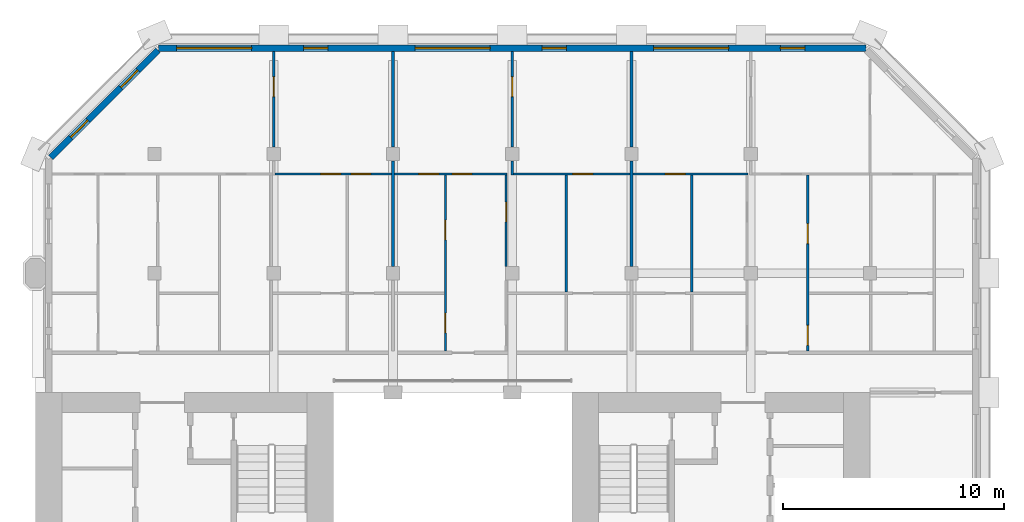
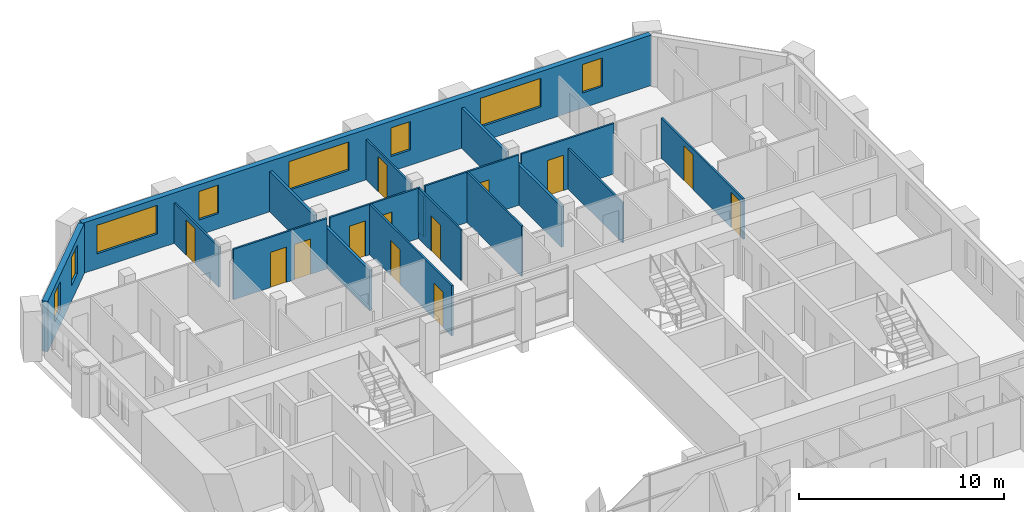
# One storey, part 9 of 13: 18 walls, 13 doors, 8 windows, 21 openings.
"""IFC4 building model written with IfcOpenShell, lengths in metres."""

from ifc_helpers import new_model, si_unit, direction, frame, frame_2d, origin, place, context, subcontext, project, spatial, rectangle, extrude, material, layer, layer_set, type_object, element, fill, save


model = new_model("IFC4")

# Units and contexts
model_context = context("Model", 3, precision=1e-05, world=origin(), true_north=direction((0.0, 1.0)))
body_context = subcontext(model_context, "Body", "Model", "MODEL_VIEW")
ifc_project = project(units=[si_unit("LENGTHUNIT", "METRE"), si_unit("AREAUNIT", "SQUARE_METRE"), si_unit("VOLUMEUNIT", "CUBIC_METRE"), si_unit("PLANEANGLEUNIT", "RADIAN"), si_unit("MASSUNIT", "GRAM", prefix="KILO")], contexts=[model_context])

# Site, building, storey
site_placement = place(None, origin())
site = spatial("IfcSite", under=ifc_project, at=site_placement, CompositionType="ELEMENT")
building_placement = place(site_placement, origin())
building = spatial("IfcBuilding", under=site, at=building_placement, Name="Tabaq Tower and Sports Hall", CompositionType="ELEMENT")
storey_placement = place(building_placement, frame((0.0, 0.0, 298.300048828125)))
storey = spatial("IfcBuildingStorey", under=building, at=storey_placement, Name="L74", CompositionType="ELEMENT", Elevation=298.300048828125)

# Wall, opening, door
ifc_material_1 = material(Name="Gypsum board on steel studs", Category="steel")
ifc_layer_1 = layer(ifc_material_1, 0.10009765625)
ifc_layer_set_1 = layer_set([ifc_layer_1], Name="Partition 100 Gypsum board")
wall_type_1 = type_object("IfcWallType", Name="Partition 100 Gypsum board", PredefinedType="PARTITIONING", material=ifc_layer_set_1)
wall_1_placement = place(storey_placement, frame((16.199951171875, 43.52001953125, 0.0), z_axis=(0.0, 0.0, 1.0), x_axis=(0.0, 1.0, 0.0)))
wall_1 = element("IfcWall", 1, at=wall_1_placement, inside=storey, type_object=wall_type_1, Name="Partition wall L74", PredefinedType="PARTITIONING", context=body_context, shape_type="SweptSolid", body=[
    extrude(rectangle(XDim=4.3291015625, YDim=0.10009765625, at=frame_2d((2.16455078125, 0.0))), origin(), (0.0, 0.0, 1.0), 2.39990234375),
])
opening_1_placement = place(wall_1_placement, frame((2.280029296875, 0.0, 0.0)))
opening_1 = element("IfcOpeningElement", 2, at=opening_1_placement, cuts=wall_1, Name="Opening L74-051", PredefinedType="OPENING", context=body_context, shape_type="SweptSolid", body=[
    extrude(rectangle(XDim=0.89990234375, YDim=2.10009765625, at=frame_2d((0.449951171875, 1.050048828125))), frame((0.0, 0.050048828125, 0.0), z_axis=(0.0, -1.0, 0.0), x_axis=(1.0, 0.0, 0.0)), (0.0, 0.0, 1.0), 0.10009765625),
])
ifc_material_2 = material(Name="Timber leaf in steel frame", Category="steel")
door_type_1 = type_object("IfcDoorType", Name="Internal door 900 right hand", OperationType="SINGLE_SWING_RIGHT", PredefinedType="DOOR", material=ifc_material_2)
door_1_placement = place(opening_1_placement, origin())
door_1 = element("IfcDoor", 3, at=door_1_placement, inside=storey, type_object=door_type_1, Name="Internal door L74-051", OperationType="SINGLE_SWING_RIGHT", OverallHeight=2.10009765625, OverallWidth=0.89990234375, PredefinedType="DOOR", context=body_context, shape_type="SweptSolid", body=[
    extrude(rectangle(XDim=0.89990234375, YDim=2.10009765625, at=frame_2d((0.449951171875, 1.050048828125))), frame((0.0, 0.02490234375, 0.0), z_axis=(0.0, -1.0, 0.0), x_axis=(1.0, 0.0, 0.0)), (0.0, 0.0, 1.0), 0.050048828125),
])
fill(opening_1, door_1)

# Wall, openings, doors
wall_2_placement = place(storey_placement, frame((16.25, 42.300048828125, 0.0), z_axis=(0.0, 0.0, 1.0), x_axis=(1.0, 0.0, 0.0)))
wall_2 = element("IfcWall", 4, at=wall_2_placement, inside=storey, type_object=wall_type_1, Name="Partition wall L74", PredefinedType="PARTITIONING", context=body_context, shape_type="SweptSolid", body=[
    extrude(rectangle(XDim=5.27490234375, YDim=0.10009765625, at=frame_2d((2.637451171875, 0.0))), origin(), (0.0, 0.0, 1.0), 3.0),
])
opening_2_placement = place(wall_2_placement, frame((2.080078125, 0.0, 0.0)))
opening_2 = element("IfcOpeningElement", 5, at=opening_2_placement, cuts=wall_2, Name="Opening L74-029", PredefinedType="OPENING", context=body_context, shape_type="SweptSolid", body=[
    extrude(rectangle(XDim=0.89990234375, YDim=2.10009765625, at=frame_2d((0.449951171875, 1.050048828125))), frame((0.0, 0.050048828125, 0.0), z_axis=(0.0, -1.0, 0.0), x_axis=(1.0, 0.0, 0.0)), (0.0, 0.0, 1.0), 0.10009765625),
])
opening_3_placement = place(wall_2_placement, frame((3.449951171875, 0.0, 0.0)))
opening_3 = element("IfcOpeningElement", 6, at=opening_3_placement, cuts=wall_2, Name="Opening L74-030", PredefinedType="OPENING", context=body_context, shape_type="SweptSolid", body=[
    extrude(rectangle(XDim=0.89990234375, YDim=2.10009765625, at=frame_2d((0.449951171875, 1.050048828125))), frame((0.0, 0.050048828125, 0.0), z_axis=(0.0, -1.0, 0.0), x_axis=(1.0, 0.0, 0.0)), (0.0, 0.0, 1.0), 0.10009765625),
])
ifc_material_3 = material(Name="Timber leaf in steel frame", Category="steel")
door_type_2 = type_object("IfcDoorType", Name="Internal door 900 left hand", OperationType="SINGLE_SWING_LEFT", PredefinedType="DOOR", material=ifc_material_3)
door_2_placement = place(opening_3_placement, origin())
door_2 = element("IfcDoor", 7, at=door_2_placement, inside=storey, type_object=door_type_2, Name="Internal door L74-030", OperationType="SINGLE_SWING_LEFT", OverallHeight=2.10009765625, OverallWidth=0.89990234375, PredefinedType="DOOR", context=body_context, shape_type="SweptSolid", body=[
    extrude(rectangle(XDim=0.89990234375, YDim=2.10009765625, at=frame_2d((0.449951171875, 1.050048828125))), frame((0.0, 0.02490234375, 0.0), z_axis=(0.0, -1.0, 0.0), x_axis=(1.0, 0.0, 0.0)), (0.0, 0.0, 1.0), 0.050048828125),
])
fill(opening_3, door_2)
door_3_placement = place(opening_2_placement, origin())
door_3 = element("IfcDoor", 8, at=door_3_placement, inside=storey, type_object=door_type_1, Name="Internal door L74-029", OperationType="SINGLE_SWING_RIGHT", OverallHeight=2.10009765625, OverallWidth=0.89990234375, PredefinedType="DOOR", context=body_context, shape_type="SweptSolid", body=[
    extrude(rectangle(XDim=0.89990234375, YDim=2.10009765625, at=frame_2d((0.449951171875, 1.050048828125))), frame((0.0, 0.02490234375, 0.0), z_axis=(0.0, -1.0, 0.0), x_axis=(1.0, 0.0, 0.0)), (0.0, 0.0, 1.0), 0.050048828125),
])
fill(opening_2, door_3)

wall_3_placement = place(storey_placement, frame((21.675048828125, 42.300048828125, 0.0), z_axis=(0.0, 0.0, 1.0), x_axis=(1.0, 0.0, 0.0)))
wall_3 = element("IfcWall", 9, at=wall_3_placement, inside=storey, type_object=wall_type_1, Name="Partition wall L74", PredefinedType="PARTITIONING", context=body_context, shape_type="SweptSolid", body=[
    extrude(rectangle(XDim=5.096923828125, YDim=0.10009765625, at=frame_2d((2.54833984375, 0.0))), origin(), (0.0, 0.0, 1.0), 3.0),
])
opening_4_placement = place(wall_3_placement, frame((1.096923828125, 0.0, 0.0)))
opening_4 = element("IfcOpeningElement", 10, at=opening_4_placement, cuts=wall_3, Name="Opening L74-033", PredefinedType="OPENING", context=body_context, shape_type="SweptSolid", body=[
    extrude(rectangle(XDim=0.89990234375, YDim=2.10009765625, at=frame_2d((0.449951171875, 1.050048828125))), frame((0.0, 0.050048828125, 0.0), z_axis=(0.0, -1.0, 0.0), x_axis=(1.0, 0.0, 0.0)), (0.0, 0.0, 1.0), 0.10009765625),
])
opening_5_placement = place(wall_3_placement, frame((2.596923828125, 0.0, 0.0)))
opening_5 = element("IfcOpeningElement", 11, at=opening_5_placement, cuts=wall_3, Name="Opening L74-052", PredefinedType="OPENING", context=body_context, shape_type="SweptSolid", body=[
    extrude(rectangle(XDim=0.89990234375, YDim=2.10009765625, at=frame_2d((0.449951171875, 1.050048828125))), frame((0.0, 0.050048828125, 0.0), z_axis=(0.0, -1.0, 0.0), x_axis=(1.0, 0.0, 0.0)), (0.0, 0.0, 1.0), 0.10009765625),
])
door_4_placement = place(opening_5_placement, origin())
door_4 = element("IfcDoor", 12, at=door_4_placement, inside=storey, type_object=door_type_2, Name="Internal door L74-052", OperationType="SINGLE_SWING_LEFT", OverallHeight=2.10009765625, OverallWidth=0.89990234375, PredefinedType="DOOR", context=body_context, shape_type="SweptSolid", body=[
    extrude(rectangle(XDim=0.89990234375, YDim=2.10009765625, at=frame_2d((0.449951171875, 1.050048828125))), frame((0.0, 0.02490234375, 0.0), z_axis=(0.0, -1.0, 0.0), x_axis=(1.0, 0.0, 0.0)), (0.0, 0.0, 1.0), 0.050048828125),
])
fill(opening_5, door_4)
door_5_placement = place(opening_4_placement, origin())
door_5 = element("IfcDoor", 13, at=door_5_placement, inside=storey, type_object=door_type_1, Name="Internal door L74-033", OperationType="SINGLE_SWING_RIGHT", OverallHeight=2.10009765625, OverallWidth=0.89990234375, PredefinedType="DOOR", context=body_context, shape_type="SweptSolid", body=[
    extrude(rectangle(XDim=0.89990234375, YDim=2.10009765625, at=frame_2d((0.449951171875, 1.050048828125))), frame((0.0, 0.02490234375, 0.0), z_axis=(0.0, -1.0, 0.0), x_axis=(1.0, 0.0, 0.0)), (0.0, 0.0, 1.0), 0.050048828125),
])
fill(opening_4, door_5)

# Wall
wall_4_placement = place(storey_placement, frame((27.0, 42.25, 0.0), z_axis=(0.0, 0.0, 1.0), x_axis=(0.0, 1.0, 0.0)))
element("IfcWall", 14, at=wall_4_placement, inside=storey, type_object=wall_type_1, Name="Partition wall L74", PredefinedType="PARTITIONING", context=body_context, shape_type="SweptSolid", body=[
    extrude(rectangle(XDim=0.6298828125, YDim=0.10009765625, at=frame_2d((0.31494140625, 0.0))), origin(), (0.0, 0.0, 1.0), 2.39990234375),
])

# Wall, opening, door
wall_5_placement = place(storey_placement, frame((27.0, 43.52001953125, 0.0), z_axis=(0.0, 0.0, 1.0), x_axis=(0.0, 1.0, 0.0)))
wall_5 = element("IfcWall", 15, at=wall_5_placement, inside=storey, type_object=wall_type_1, Name="Partition wall L74", PredefinedType="PARTITIONING", context=body_context, shape_type="SweptSolid", body=[
    extrude(rectangle(XDim=4.3291015625, YDim=0.10009765625, at=frame_2d((2.16455078125, 0.0))), origin(), (0.0, 0.0, 1.0), 2.39990234375),
])
opening_6_placement = place(wall_5_placement, frame((2.280029296875, 0.0, 0.0)))
opening_6 = element("IfcOpeningElement", 16, at=opening_6_placement, cuts=wall_5, Name="Opening L74-032", PredefinedType="OPENING", context=body_context, shape_type="SweptSolid", body=[
    extrude(rectangle(XDim=0.89990234375, YDim=2.10009765625, at=frame_2d((0.449951171875, 1.050048828125))), frame((0.0, 0.050048828125, 0.0), z_axis=(0.0, -1.0, 0.0), x_axis=(1.0, 0.0, 0.0)), (0.0, 0.0, 1.0), 0.10009765625),
])
door_6_placement = place(opening_6_placement, origin())
door_6 = element("IfcDoor", 17, at=door_6_placement, inside=storey, type_object=door_type_1, Name="Internal door L74-032", OperationType="SINGLE_SWING_RIGHT", OverallHeight=2.10009765625, OverallWidth=0.89990234375, PredefinedType="DOOR", context=body_context, shape_type="SweptSolid", body=[
    extrude(rectangle(XDim=0.89990234375, YDim=2.10009765625, at=frame_2d((0.449951171875, 1.050048828125))), frame((0.0, 0.02490234375, 0.0), z_axis=(0.0, -1.0, 0.0), x_axis=(1.0, 0.0, 0.0)), (0.0, 0.0, 1.0), 0.050048828125),
])
fill(opening_6, door_6)

wall_6_placement = place(storey_placement, frame((27.050048828125, 42.300048828125, 0.0), z_axis=(0.0, 0.0, 1.0), x_axis=(1.0, 0.0, 0.0)))
wall_6 = element("IfcWall", 18, at=wall_6_placement, inside=storey, type_object=wall_type_1, Name="Partition wall L74", PredefinedType="PARTITIONING", context=body_context, shape_type="SweptSolid", body=[
    extrude(rectangle(XDim=5.27490234375, YDim=0.10009765625, at=frame_2d((2.637451171875, 0.0))), origin(), (0.0, 0.0, 1.0), 3.0),
])
opening_7_placement = place(wall_6_placement, frame((2.699951171875, 0.0, 0.0)))
opening_7 = element("IfcOpeningElement", 19, at=opening_7_placement, cuts=wall_6, Name="Opening L74-034", PredefinedType="OPENING", context=body_context, shape_type="SweptSolid", body=[
    extrude(rectangle(XDim=0.89990234375, YDim=2.10009765625, at=frame_2d((0.449951171875, 1.050048828125))), frame((0.0, 0.050048828125, 0.0), z_axis=(0.0, -1.0, 0.0), x_axis=(1.0, 0.0, 0.0)), (0.0, 0.0, 1.0), 0.10009765625),
])
door_7_placement = place(opening_7_placement, origin())
door_7 = element("IfcDoor", 20, at=door_7_placement, inside=storey, type_object=door_type_2, Name="Internal door L74-034", OperationType="SINGLE_SWING_LEFT", OverallHeight=2.10009765625, OverallWidth=0.89990234375, PredefinedType="DOOR", context=body_context, shape_type="SweptSolid", body=[
    extrude(rectangle(XDim=0.89990234375, YDim=2.10009765625, at=frame_2d((0.449951171875, 1.050048828125))), frame((0.0, 0.02490234375, 0.0), z_axis=(0.0, -1.0, 0.0), x_axis=(1.0, 0.0, 0.0)), (0.0, 0.0, 1.0), 0.050048828125),
])
fill(opening_7, door_7)

# Wall, openings, doors
wall_7_placement = place(storey_placement, frame((23.971923828125, 34.27490234375, 0.0), z_axis=(0.0, 0.0, 1.0), x_axis=(0.0, 1.0, 0.0)))
wall_7 = element("IfcWall", 21, at=wall_7_placement, inside=storey, type_object=wall_type_1, Name="Partition wall L74", PredefinedType="PARTITIONING", context=body_context, shape_type="SweptSolid", body=[
    extrude(rectangle(XDim=7.97509765625, YDim=0.10009765625, at=frame_2d((3.987548828125, 0.0))), origin(), (0.0, 0.0, 1.0), 3.0),
])
opening_8_placement = place(wall_7_placement, frame((0.824951171875, 0.0, 0.0)))
opening_8 = element("IfcOpeningElement", 22, at=opening_8_placement, cuts=wall_7, Name="Opening L74-007", PredefinedType="OPENING", context=body_context, shape_type="SweptSolid", body=[
    extrude(rectangle(XDim=0.89990234375, YDim=2.10009765625, at=frame_2d((0.449951171875, 1.050048828125))), frame((0.0, 0.050048828125, 0.0), z_axis=(0.0, -1.0, 0.0), x_axis=(1.0, 0.0, 0.0)), (0.0, 0.0, 1.0), 0.10009765625),
])
opening_9_placement = place(wall_7_placement, frame((5.037109375, 0.0, 0.0)))
opening_9 = element("IfcOpeningElement", 23, at=opening_9_placement, cuts=wall_7, Name="Opening L74-035", PredefinedType="OPENING", context=body_context, shape_type="SweptSolid", body=[
    extrude(rectangle(XDim=0.89990234375, YDim=2.10009765625, at=frame_2d((0.449951171875, 1.050048828125))), frame((0.0, 0.050048828125, 0.0), z_axis=(0.0, -1.0, 0.0), x_axis=(1.0, 0.0, 0.0)), (0.0, 0.0, 1.0), 0.10009765625),
])
door_8_placement = place(opening_9_placement, origin())
door_8 = element("IfcDoor", 24, at=door_8_placement, inside=storey, type_object=door_type_2, Name="Internal door L74-035", OperationType="SINGLE_SWING_LEFT", OverallHeight=2.10009765625, OverallWidth=0.89990234375, PredefinedType="DOOR", context=body_context, shape_type="SweptSolid", body=[
    extrude(rectangle(XDim=0.89990234375, YDim=2.10009765625, at=frame_2d((0.449951171875, 1.050048828125))), frame((0.0, 0.02490234375, 0.0), z_axis=(0.0, -1.0, 0.0), x_axis=(1.0, 0.0, 0.0)), (0.0, 0.0, 1.0), 0.050048828125),
])
fill(opening_9, door_8)
door_9_placement = place(opening_8_placement, origin())
door_9 = element("IfcDoor", 25, at=door_9_placement, inside=storey, type_object=door_type_1, Name="Internal door L74-007", OperationType="SINGLE_SWING_RIGHT", OverallHeight=2.10009765625, OverallWidth=0.89990234375, PredefinedType="DOOR", context=body_context, shape_type="SweptSolid", body=[
    extrude(rectangle(XDim=0.89990234375, YDim=2.10009765625, at=frame_2d((0.449951171875, 1.050048828125))), frame((0.0, 0.02490234375, 0.0), z_axis=(0.0, -1.0, 0.0), x_axis=(1.0, 0.0, 0.0)), (0.0, 0.0, 1.0), 0.050048828125),
])
fill(opening_8, door_9)

# Wall, opening, door
wall_8_placement = place(storey_placement, frame((26.721923828125, 38.1201171875, 0.0), z_axis=(0.0, 0.0, 1.0), x_axis=(0.0, 1.0, 0.0)))
wall_8 = element("IfcWall", 26, at=wall_8_placement, inside=storey, type_object=wall_type_1, Name="Partition wall L74", PredefinedType="PARTITIONING", context=body_context, shape_type="SweptSolid", body=[
    extrude(rectangle(XDim=4.1298828125, YDim=0.10009765625, at=frame_2d((2.06494140625, 0.0))), origin(), (0.0, 0.0, 1.0), 3.0),
])
opening_10_placement = place(wall_8_placement, frame((2.0048828125, 0.0, 0.0)))
opening_10 = element("IfcOpeningElement", 27, at=opening_10_placement, cuts=wall_8, Name="Opening L74-008", PredefinedType="OPENING", context=body_context, shape_type="SweptSolid", body=[
    extrude(rectangle(XDim=0.89990234375, YDim=2.10009765625, at=frame_2d((0.449951171875, 1.050048828125))), frame((0.0, 0.050048828125, 0.0), z_axis=(0.0, -1.0, 0.0), x_axis=(1.0, 0.0, 0.0)), (0.0, 0.0, 1.0), 0.10009765625),
])
door_10_placement = place(opening_10_placement, origin())
door_10 = element("IfcDoor", 28, at=door_10_placement, inside=storey, type_object=door_type_2, Name="Internal door L74-008", OperationType="SINGLE_SWING_LEFT", OverallHeight=2.10009765625, OverallWidth=0.89990234375, PredefinedType="DOOR", context=body_context, shape_type="SweptSolid", body=[
    extrude(rectangle(XDim=0.89990234375, YDim=2.10009765625, at=frame_2d((0.449951171875, 1.050048828125))), frame((0.0, 0.02490234375, 0.0), z_axis=(0.0, -1.0, 0.0), x_axis=(1.0, 0.0, 0.0)), (0.0, 0.0, 1.0), 0.050048828125),
])
fill(opening_10, door_10)

# Wall
wall_9_placement = place(storey_placement, frame((29.449951171875, 36.949951171875, 0.0), z_axis=(0.0, 0.0, 1.0), x_axis=(0.0, 1.0, 0.0)))
element("IfcWall", 29, at=wall_9_placement, inside=storey, type_object=wall_type_1, Name="Partition wall L74", PredefinedType="PARTITIONING", context=body_context, shape_type="SweptSolid", body=[
    extrude(rectangle(XDim=5.300048828125, YDim=0.10009765625, at=frame_2d((2.64990234375, 0.0))), origin(), (0.0, 0.0, 1.0), 3.0),
])

# Wall, opening, door
wall_10_placement = place(storey_placement, frame((32.47509765625, 42.300048828125, 0.0), z_axis=(0.0, 0.0, 1.0), x_axis=(1.0, 0.0, 0.0)))
wall_10 = element("IfcWall", 30, at=wall_10_placement, inside=storey, type_object=wall_type_1, Name="Partition wall L74", PredefinedType="PARTITIONING", context=body_context, shape_type="SweptSolid", body=[
    extrude(rectangle(XDim=5.2099609375, YDim=0.10009765625, at=frame_2d((2.60498046875, 0.0))), origin(), (0.0, 0.0, 1.0), 3.0),
])
opening_11_placement = place(wall_10_placement, frame((1.4599609375, 0.0, 0.0)))
opening_11 = element("IfcOpeningElement", 31, at=opening_11_placement, cuts=wall_10, Name="Opening L74-037", PredefinedType="OPENING", context=body_context, shape_type="SweptSolid", body=[
    extrude(rectangle(XDim=0.89990234375, YDim=2.10009765625, at=frame_2d((0.449951171875, 1.050048828125))), frame((0.0, 0.050048828125, 0.0), z_axis=(0.0, -1.0, 0.0), x_axis=(1.0, 0.0, 0.0)), (0.0, 0.0, 1.0), 0.10009765625),
])
door_11_placement = place(opening_11_placement, origin())
door_11 = element("IfcDoor", 32, at=door_11_placement, inside=storey, type_object=door_type_1, Name="Internal door L74-037", OperationType="SINGLE_SWING_RIGHT", OverallHeight=2.10009765625, OverallWidth=0.89990234375, PredefinedType="DOOR", context=body_context, shape_type="SweptSolid", body=[
    extrude(rectangle(XDim=0.89990234375, YDim=2.10009765625, at=frame_2d((0.449951171875, 1.050048828125))), frame((0.0, 0.02490234375, 0.0), z_axis=(0.0, -1.0, 0.0), x_axis=(1.0, 0.0, 0.0)), (0.0, 0.0, 1.0), 0.050048828125),
])
fill(opening_11, door_11)

# Wall
wall_11_placement = place(storey_placement, frame((35.135009765625, 36.949951171875, 0.0), z_axis=(0.0, 0.0, 1.0), x_axis=(0.0, 1.0, 0.0)))
element("IfcWall", 33, at=wall_11_placement, inside=storey, type_object=wall_type_1, Name="Partition wall L74", PredefinedType="PARTITIONING", context=body_context, shape_type="SweptSolid", body=[
    extrude(rectangle(XDim=5.300048828125, YDim=0.10009765625, at=frame_2d((2.64990234375, 0.0))), origin(), (0.0, 0.0, 1.0), 2.39990234375),
])

# Wall, openings, doors
wall_12_placement = place(storey_placement, frame((40.385009765625, 34.27490234375, 0.0), z_axis=(0.0, 0.0, 1.0), x_axis=(0.0, 1.0, 0.0)))
wall_12 = element("IfcWall", 34, at=wall_12_placement, inside=storey, type_object=wall_type_1, Name="Partition wall L74", PredefinedType="PARTITIONING", context=body_context, shape_type="SweptSolid", body=[
    extrude(rectangle(XDim=7.97509765625, YDim=0.10009765625, at=frame_2d((3.987548828125, 0.0))), origin(), (0.0, 0.0, 1.0), 2.39990234375),
])
opening_12_placement = place(wall_12_placement, frame((4.875, 0.0, 0.0)))
opening_12 = element("IfcOpeningElement", 35, at=opening_12_placement, cuts=wall_12, Name="Opening L74-015", PredefinedType="OPENING", context=body_context, shape_type="SweptSolid", body=[
    extrude(rectangle(XDim=0.89990234375, YDim=2.10009765625, at=frame_2d((0.449951171875, 1.050048828125))), frame((0.0, 0.050048828125, 0.0), z_axis=(0.0, -1.0, 0.0), x_axis=(1.0, 0.0, 0.0)), (0.0, 0.0, 1.0), 0.10009765625),
])
opening_13_placement = place(wall_12_placement, frame((0.262451171875, 0.0, 0.0)))
opening_13 = element("IfcOpeningElement", 36, at=opening_13_placement, cuts=wall_12, Name="Opening L74-016", PredefinedType="OPENING", context=body_context, shape_type="SweptSolid", body=[
    extrude(rectangle(XDim=0.89990234375, YDim=2.10009765625, at=frame_2d((0.449951171875, 1.050048828125))), frame((0.0, 0.050048828125, 0.0), z_axis=(0.0, -1.0, 0.0), x_axis=(1.0, 0.0, 0.0)), (0.0, 0.0, 1.0), 0.10009765625),
])
door_12_placement = place(opening_12_placement, origin())
door_12 = element("IfcDoor", 37, at=door_12_placement, inside=storey, type_object=door_type_2, Name="Internal door L74-015", OperationType="SINGLE_SWING_LEFT", OverallHeight=2.10009765625, OverallWidth=0.89990234375, PredefinedType="DOOR", context=body_context, shape_type="SweptSolid", body=[
    extrude(rectangle(XDim=0.89990234375, YDim=2.10009765625, at=frame_2d((0.449951171875, 1.050048828125))), frame((0.0, 0.02490234375, 0.0), z_axis=(0.0, -1.0, 0.0), x_axis=(1.0, 0.0, 0.0)), (0.0, 0.0, 1.0), 0.050048828125),
])
fill(opening_12, door_12)
door_13_placement = place(opening_13_placement, origin())
door_13 = element("IfcDoor", 38, at=door_13_placement, inside=storey, type_object=door_type_2, Name="Internal door L74-016", OperationType="SINGLE_SWING_LEFT", OverallHeight=2.10009765625, OverallWidth=0.89990234375, PredefinedType="DOOR", context=body_context, shape_type="SweptSolid", body=[
    extrude(rectangle(XDim=0.89990234375, YDim=2.10009765625, at=frame_2d((0.449951171875, 1.050048828125))), frame((0.0, 0.02490234375, 0.0), z_axis=(0.0, -1.0, 0.0), x_axis=(1.0, 0.0, 0.0)), (0.0, 0.0, 1.0), 0.050048828125),
])
fill(opening_13, door_13)

# Walls
ifc_material_4 = material(Name="Blockwork", Category="masonry")
ifc_layer_2 = layer(ifc_material_4, 0.14990234375)
ifc_layer_set_2 = layer_set([ifc_layer_2], Name="Separating wall 150 Blockwork")
wall_type_2 = type_object("IfcWallType", Name="Separating wall 150 Blockwork", PredefinedType="PARTITIONING", material=ifc_layer_set_2)
wall_13_placement = place(storey_placement, frame((21.60009765625, 43.52001953125, 0.0), z_axis=(0.0, 0.0, 1.0), x_axis=(0.0, 1.0, 0.0)))
element("IfcWall", 39, at=wall_13_placement, inside=storey, type_object=wall_type_2, Name="Separating wall L74", PredefinedType="PARTITIONING", context=body_context, shape_type="SweptSolid", body=[
    extrude(rectangle(XDim=4.3291015625, YDim=0.14990234375, at=frame_2d((2.16455078125, 0.0))), origin(), (0.0, 0.0, 1.0), 2.39990234375),
])
wall_14_placement = place(storey_placement, frame((21.60009765625, 38.1201171875, 0.0), z_axis=(0.0, 0.0, 1.0), x_axis=(0.0, 1.0, 0.0)))
element("IfcWall", 40, at=wall_14_placement, inside=storey, type_object=wall_type_2, Name="Separating wall L74", PredefinedType="PARTITIONING", context=body_context, shape_type="SweptSolid", body=[
    extrude(rectangle(XDim=4.759765625, YDim=0.14990234375, at=frame_2d((2.3798828125, 0.0))), origin(), (0.0, 0.0, 1.0), 2.39990234375),
])
wall_15_placement = place(storey_placement, frame((32.39990234375, 43.52001953125, 0.0), z_axis=(0.0, 0.0, 1.0), x_axis=(0.0, 1.0, 0.0)))
element("IfcWall", 41, at=wall_15_placement, inside=storey, type_object=wall_type_2, Name="Separating wall L74", PredefinedType="PARTITIONING", context=body_context, shape_type="SweptSolid", body=[
    extrude(rectangle(XDim=4.3291015625, YDim=0.14990234375, at=frame_2d((2.16455078125, 0.0))), origin(), (0.0, 0.0, 1.0), 2.39990234375),
])
wall_16_placement = place(storey_placement, frame((32.39990234375, 38.1201171875, 0.0), z_axis=(0.0, 0.0, 1.0), x_axis=(0.0, 1.0, 0.0)))
element("IfcWall", 42, at=wall_16_placement, inside=storey, type_object=wall_type_2, Name="Separating wall L74", PredefinedType="PARTITIONING", context=body_context, shape_type="SweptSolid", body=[
    extrude(rectangle(XDim=4.759765625, YDim=0.14990234375, at=frame_2d((2.3798828125, 0.0))), origin(), (0.0, 0.0, 1.0), 2.39990234375),
])

# Wall, openings, windows
ifc_material_5 = material(Name="White precast concrete C60/75", Category="concrete")
ifc_layer_3 = layer(ifc_material_5, 0.300048828125)
ifc_layer_set_3 = layer_set([ifc_layer_3], Name="White precast concrete C60/75 external wall 300")
wall_type_3 = type_object("IfcWallType", Name="White precast concrete C60/75 external wall 300", PredefinedType="SOLIDWALL", material=ifc_layer_set_3)
wall_17_placement = place(storey_placement, frame((43.013671875, 48.0, 0.0), z_axis=(0.0, 0.0, 1.0), x_axis=(-1.0, 0.0, 0.0)))
wall_17 = element("IfcWall", 43, at=wall_17_placement, inside=storey, type_object=wall_type_3, Name="External Wall L74 N", PredefinedType="SOLIDWALL", context=body_context, shape_type="SweptSolid", body=[
    extrude(rectangle(XDim=32.02734375, YDim=0.300048828125, at=frame_2d((16.013671875, 0.0))), origin(), (0.0, 0.0, 1.0), 3.0),
])
opening_14_placement = place(wall_17_placement, frame((2.763671875, 0.0, 0.89990234375)))
opening_14 = element("IfcOpeningElement", 44, at=opening_14_placement, cuts=wall_17, Name="Opening W1B", PredefinedType="OPENING", context=body_context, shape_type="SweptSolid", body=[
    extrude(rectangle(XDim=1.10009765625, YDim=1.699951171875, at=frame_2d((0.550048828125, 0.85009765625))), frame((0.0, 0.16015625, 0.0), z_axis=(0.0, -1.0, 0.0), x_axis=(1.0, 0.0, 0.0)), (0.0, 0.0, 1.0), 0.320068359375),
])
opening_15_placement = place(wall_17_placement, frame((6.213623046875, 0.0, 0.89990234375)))
opening_15 = element("IfcOpeningElement", 45, at=opening_15_placement, cuts=wall_17, Name="Opening W1A", PredefinedType="OPENING", context=body_context, shape_type="SweptSolid", body=[
    extrude(rectangle(XDim=3.39990234375, YDim=1.699951171875, at=frame_2d((1.699951171875, 0.85009765625))), frame((0.0, 0.16015625, 0.0), z_axis=(0.0, -1.0, 0.0), x_axis=(1.0, 0.0, 0.0)), (0.0, 0.0, 1.0), 0.320068359375),
])
opening_16_placement = place(wall_17_placement, frame((13.563720703125, 0.0, 0.89990234375)))
opening_16 = element("IfcOpeningElement", 46, at=opening_16_placement, cuts=wall_17, Name="Opening W1B", PredefinedType="OPENING", context=body_context, shape_type="SweptSolid", body=[
    extrude(rectangle(XDim=1.10009765625, YDim=1.699951171875, at=frame_2d((0.550048828125, 0.85009765625))), frame((0.0, 0.16015625, 0.0), z_axis=(0.0, -1.0, 0.0), x_axis=(1.0, 0.0, 0.0)), (0.0, 0.0, 1.0), 0.320068359375),
])
opening_17_placement = place(wall_17_placement, frame((17.013671875, 0.0, 0.89990234375)))
opening_17 = element("IfcOpeningElement", 47, at=opening_17_placement, cuts=wall_17, Name="Opening W1A", PredefinedType="OPENING", context=body_context, shape_type="SweptSolid", body=[
    extrude(rectangle(XDim=3.39990234375, YDim=1.699951171875, at=frame_2d((1.699951171875, 0.85009765625))), frame((0.0, 0.16015625, 0.0), z_axis=(0.0, -1.0, 0.0), x_axis=(1.0, 0.0, 0.0)), (0.0, 0.0, 1.0), 0.320068359375),
])
opening_18_placement = place(wall_17_placement, frame((24.363525390625, 0.0, 0.89990234375)))
opening_18 = element("IfcOpeningElement", 48, at=opening_18_placement, cuts=wall_17, Name="Opening W1B", PredefinedType="OPENING", context=body_context, shape_type="SweptSolid", body=[
    extrude(rectangle(XDim=1.10009765625, YDim=1.699951171875, at=frame_2d((0.550048828125, 0.85009765625))), frame((0.0, 0.16015625, 0.0), z_axis=(0.0, -1.0, 0.0), x_axis=(1.0, 0.0, 0.0)), (0.0, 0.0, 1.0), 0.320068359375),
])
opening_19_placement = place(wall_17_placement, frame((27.813720703125, 0.0, 0.89990234375)))
opening_19 = element("IfcOpeningElement", 49, at=opening_19_placement, cuts=wall_17, Name="Opening W1A", PredefinedType="OPENING", context=body_context, shape_type="SweptSolid", body=[
    extrude(rectangle(XDim=3.39990234375, YDim=1.699951171875, at=frame_2d((1.699951171875, 0.85009765625))), frame((0.0, 0.16015625, 0.0), z_axis=(0.0, -1.0, 0.0), x_axis=(1.0, 0.0, 0.0)), (0.0, 0.0, 1.0), 0.320068359375),
])
ifc_material_6 = material(Name="Aluminium framed clear glazing", Category="aluminium")
window_type_1 = type_object("IfcWindowType", Name="Window W1A", PartitioningType="SINGLE_PANEL", PredefinedType="WINDOW", material=ifc_material_6)
window_1_placement = place(opening_15_placement, origin())
window_1 = element("IfcWindow", 50, at=window_1_placement, inside=storey, type_object=window_type_1, Name="Window W1A L74", OverallHeight=1.699951171875, OverallWidth=3.39990234375, PartitioningType="SINGLE_PANEL", PredefinedType="WINDOW", context=body_context, shape_type="SweptSolid", body=[
    extrude(rectangle(XDim=3.39990234375, YDim=1.699951171875, at=frame_2d((1.699951171875, 0.85009765625))), frame((0.0, 0.030029296875, 0.0), z_axis=(0.0, -1.0, 0.0), x_axis=(1.0, 0.0, 0.0)), (0.0, 0.0, 1.0), 0.06005859375),
])
fill(opening_15, window_1)
window_2_placement = place(opening_17_placement, origin())
window_2 = element("IfcWindow", 51, at=window_2_placement, inside=storey, type_object=window_type_1, Name="Window W1A L74", OverallHeight=1.699951171875, OverallWidth=3.39990234375, PartitioningType="SINGLE_PANEL", PredefinedType="WINDOW", context=body_context, shape_type="SweptSolid", body=[
    extrude(rectangle(XDim=3.39990234375, YDim=1.699951171875, at=frame_2d((1.699951171875, 0.85009765625))), frame((0.0, 0.030029296875, 0.0), z_axis=(0.0, -1.0, 0.0), x_axis=(1.0, 0.0, 0.0)), (0.0, 0.0, 1.0), 0.06005859375),
])
fill(opening_17, window_2)
window_3_placement = place(opening_19_placement, origin())
window_3 = element("IfcWindow", 52, at=window_3_placement, inside=storey, type_object=window_type_1, Name="Window W1A L74", OverallHeight=1.699951171875, OverallWidth=3.39990234375, PartitioningType="SINGLE_PANEL", PredefinedType="WINDOW", context=body_context, shape_type="SweptSolid", body=[
    extrude(rectangle(XDim=3.39990234375, YDim=1.699951171875, at=frame_2d((1.699951171875, 0.85009765625))), frame((0.0, 0.030029296875, 0.0), z_axis=(0.0, -1.0, 0.0), x_axis=(1.0, 0.0, 0.0)), (0.0, 0.0, 1.0), 0.06005859375),
])
fill(opening_19, window_3)
ifc_material_7 = material(Name="Aluminium framed clear glazing", Category="aluminium")
window_type_2 = type_object("IfcWindowType", Name="Window W1B", PartitioningType="SINGLE_PANEL", PredefinedType="WINDOW", material=ifc_material_7)
window_4_placement = place(opening_14_placement, origin())
window_4 = element("IfcWindow", 53, at=window_4_placement, inside=storey, type_object=window_type_2, Name="Window W1B L74", OverallHeight=1.699951171875, OverallWidth=1.10009765625, PartitioningType="SINGLE_PANEL", PredefinedType="WINDOW", context=body_context, shape_type="SweptSolid", body=[
    extrude(rectangle(XDim=1.10009765625, YDim=1.699951171875, at=frame_2d((0.550048828125, 0.85009765625))), frame((0.0, 0.030029296875, 0.0), z_axis=(0.0, -1.0, 0.0), x_axis=(1.0, 0.0, 0.0)), (0.0, 0.0, 1.0), 0.06005859375),
])
fill(opening_14, window_4)
window_5_placement = place(opening_16_placement, origin())
window_5 = element("IfcWindow", 54, at=window_5_placement, inside=storey, type_object=window_type_2, Name="Window W1B L74", OverallHeight=1.699951171875, OverallWidth=1.10009765625, PartitioningType="SINGLE_PANEL", PredefinedType="WINDOW", context=body_context, shape_type="SweptSolid", body=[
    extrude(rectangle(XDim=1.10009765625, YDim=1.699951171875, at=frame_2d((0.550048828125, 0.85009765625))), frame((0.0, 0.030029296875, 0.0), z_axis=(0.0, -1.0, 0.0), x_axis=(1.0, 0.0, 0.0)), (0.0, 0.0, 1.0), 0.06005859375),
])
fill(opening_16, window_5)
window_6_placement = place(opening_18_placement, origin())
window_6 = element("IfcWindow", 55, at=window_6_placement, inside=storey, type_object=window_type_2, Name="Window W1B L74", OverallHeight=1.699951171875, OverallWidth=1.10009765625, PartitioningType="SINGLE_PANEL", PredefinedType="WINDOW", context=body_context, shape_type="SweptSolid", body=[
    extrude(rectangle(XDim=1.10009765625, YDim=1.699951171875, at=frame_2d((0.550048828125, 0.85009765625))), frame((0.0, 0.030029296875, 0.0), z_axis=(0.0, -1.0, 0.0), x_axis=(1.0, 0.0, 0.0)), (0.0, 0.0, 1.0), 0.06005859375),
])
fill(opening_18, window_6)

wall_18_placement = place(storey_placement, frame((10.949462890625, 47.901123046875, 0.0), z_axis=(0.0, 0.0, 1.0), x_axis=(-0.707106781187, -0.707106781187, 0.0)))
wall_18 = element("IfcWall", 56, at=wall_18_placement, inside=storey, type_object=wall_type_3, Name="External Wall L74 NW", PredefinedType="SOLIDWALL", context=body_context, shape_type="SweptSolid", body=[
    extrude(rectangle(XDim=6.85986328125, YDim=0.300048828125, at=frame_2d((3.429931640625, 0.0))), origin(), (0.0, 0.0, 1.0), 3.0),
])
opening_20_placement = place(wall_18_placement, frame((1.27978515625, 0.0, 0.89990234375)))
opening_20 = element("IfcOpeningElement", 57, at=opening_20_placement, cuts=wall_18, Name="Opening W1B", PredefinedType="OPENING", context=body_context, shape_type="SweptSolid", body=[
    extrude(rectangle(XDim=1.10009765625, YDim=1.699951171875, at=frame_2d((0.550048828125, 0.85009765625))), frame((0.0, 0.16015625, 0.0), z_axis=(0.0, -1.0, 0.0), x_axis=(1.0, 0.0, 0.0)), (0.0, 0.0, 1.0), 0.320068359375),
])
opening_21_placement = place(wall_18_placement, frame((4.479736328125, 0.0, 0.89990234375)))
opening_21 = element("IfcOpeningElement", 58, at=opening_21_placement, cuts=wall_18, Name="Opening W1B", PredefinedType="OPENING", context=body_context, shape_type="SweptSolid", body=[
    extrude(rectangle(XDim=1.10009765625, YDim=1.699951171875, at=frame_2d((0.550048828125, 0.85009765625))), frame((0.0, 0.16015625, 0.0), z_axis=(0.0, -1.0, 0.0), x_axis=(1.0, 0.0, 0.0)), (0.0, 0.0, 1.0), 0.320068359375),
])
window_7_placement = place(opening_20_placement, origin())
window_7 = element("IfcWindow", 59, at=window_7_placement, inside=storey, type_object=window_type_2, Name="Window W1B L74", OverallHeight=1.699951171875, OverallWidth=1.10009765625, PartitioningType="SINGLE_PANEL", PredefinedType="WINDOW", context=body_context, shape_type="SweptSolid", body=[
    extrude(rectangle(XDim=1.10009765625, YDim=1.699951171875, at=frame_2d((0.550048828125, 0.85009765625))), frame((0.0, 0.030029296875, 0.0), z_axis=(0.0, -1.0, 0.0), x_axis=(1.0, 0.0, 0.0)), (0.0, 0.0, 1.0), 0.06005859375),
])
fill(opening_20, window_7)
window_8_placement = place(opening_21_placement, origin())
window_8 = element("IfcWindow", 60, at=window_8_placement, inside=storey, type_object=window_type_2, Name="Window W1B L74", OverallHeight=1.699951171875, OverallWidth=1.10009765625, PartitioningType="SINGLE_PANEL", PredefinedType="WINDOW", context=body_context, shape_type="SweptSolid", body=[
    extrude(rectangle(XDim=1.10009765625, YDim=1.699951171875, at=frame_2d((0.550048828125, 0.85009765625))), frame((0.0, 0.030029296875, 0.0), z_axis=(0.0, -1.0, 0.0), x_axis=(1.0, 0.0, 0.0)), (0.0, 0.0, 1.0), 0.06005859375),
])
fill(opening_21, window_8)

save(model, "model.ifc")
